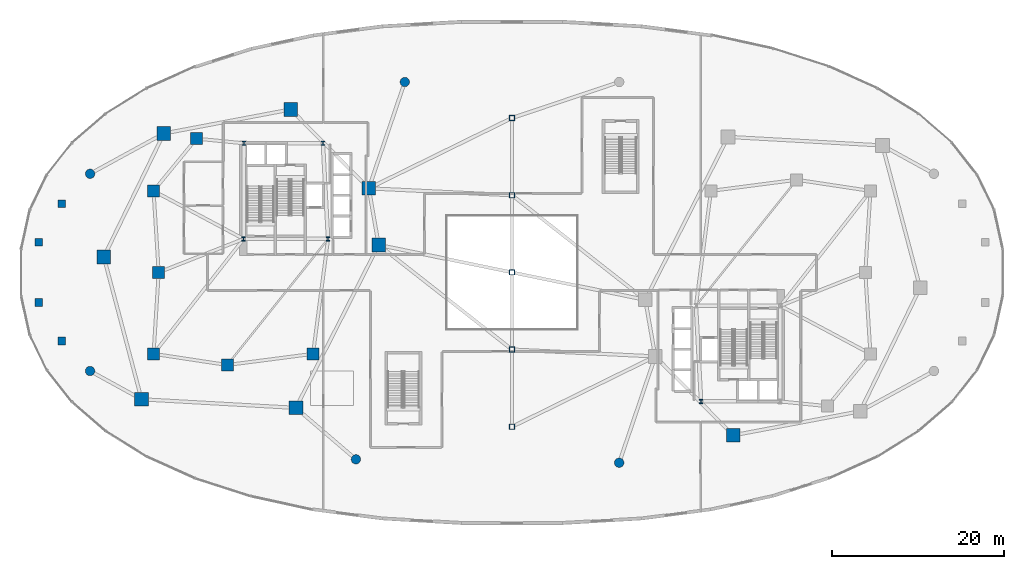
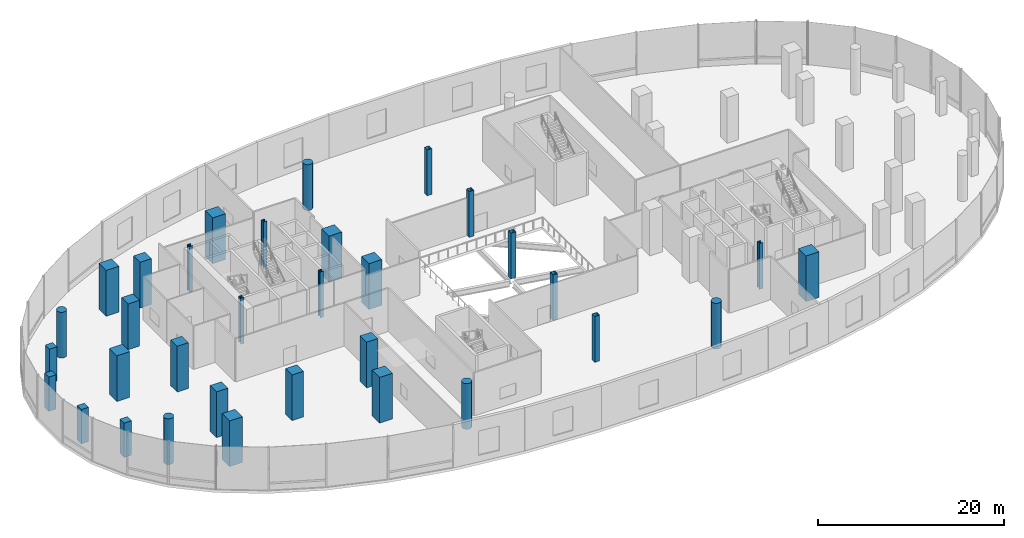
# One storey, part 1 of 20: 33 columns.
"""IFC4 building model written with IfcOpenShell, lengths in metres."""

from ifc_helpers import new_model, si_unit, direction, frame, origin, origin_2d, place, context, subcontext, project, spatial, rectangle, hollow_rectangle, circle, i_section, extrude, material, material_profile, profile_set, type_object, element, save


model = new_model("IFC4")

# Units and contexts
model_context = context("Model", 3, precision=1e-05, world=origin(), true_north=direction((0.0, 1.0)))
body_context = subcontext(model_context, "Body", "Model", "MODEL_VIEW")
ifc_project = project(units=[si_unit("LENGTHUNIT", "METRE"), si_unit("AREAUNIT", "SQUARE_METRE"), si_unit("VOLUMEUNIT", "CUBIC_METRE"), si_unit("PLANEANGLEUNIT", "RADIAN"), si_unit("MASSUNIT", "GRAM", prefix="KILO"), si_unit("THERMODYNAMICTEMPERATUREUNIT", "KELVIN"), si_unit("POWERUNIT", "WATT")], contexts=[model_context])

# Site, building, storey
site_placement = place(None, origin())
site = spatial("IfcSite", under=ifc_project, at=site_placement, CompositionType="ELEMENT")
building_placement = place(site_placement, origin())
building = spatial("IfcBuilding", under=site, at=building_placement, Name="Cundina Bronze Exchange", CompositionType="ELEMENT")
storey_placement = place(building_placement, frame((0.0, 0.0, 6.0)))
storey = spatial("IfcBuildingStorey", under=building, at=storey_placement, Name="L01", CompositionType="ELEMENT", Elevation=6.0)

# Columns
ifc_material_1 = material(Name="Concrete C60/75", Category="concrete")
ifc_material_profile_1 = material_profile(ifc_material_1, rectangle(XDim=1.39990234375, YDim=1.39990234375, at=origin_2d()), Name="RC1400X1400", Category="concrete")
ifc_profile_set_1 = profile_set([ifc_material_profile_1], Name="Concrete C60/75")
column_type_1 = type_object("IfcColumnType", Name="COL-MEGA-1400", PredefinedType="COLUMN", material=ifc_profile_set_1)
for number, where, z_axis, x_axis, name in (
    (1, (-41.199951171875, 0.0, 0.0), (0.0, 0.0, 1.0), (1.0, 0.0, 0.0), "L01 W Inner Ring Column 1"),
    (2, (-41.800048828125, 9.5, 0.0), (0.0, 0.0, 1.0), (1.0, 0.0, 0.0), "L01 W Inner Ring Column 2"),
    (3, (-36.800048828125, 15.60009765625, 0.0), (0.0, 0.0, 1.0), (1.0, 0.0, 0.0), "L01 W Inner Ring Column 3"),
    (4, (-41.800048828125, -9.5, 0.0), (0.0, 0.0, 1.0), (1.0, 0.0, 0.0), "L01 W Inner Ring Column 4"),
    (5, (-33.199951171875, -10.800048828125, 0.0), (0.0, 0.0, 1.0), (1.0, 0.0, 0.0), "L01 W Inner Ring Column 5"),
    (6, (-23.199951171875, -9.5, 0.0), (0.0, 0.0, 1.0), (1.0, 0.0, 0.0), "L01 W Inner Ring Column 6"),
):
    element("IfcColumn", number, at=place(storey_placement, frame(where, z_axis=z_axis, x_axis=x_axis)), inside=storey, type_object=column_type_1, Name=name, PredefinedType="COLUMN", context=body_context, shape_type="SweptSolid", body=[
        extrude(rectangle(XDim=1.39990234375, YDim=1.39990234375, at=origin_2d()), origin(), (0.0, 0.0, 1.0), 6.0),
    ])
ifc_material_profile_2 = material_profile(ifc_material_1, rectangle(XDim=1.60009765625, YDim=1.60009765625, at=origin_2d()), Name="RC1600X1600", Category="concrete")
ifc_profile_set_2 = profile_set([ifc_material_profile_2], Name="Concrete C60/75")
column_type_2 = type_object("IfcColumnType", Name="COL-MEGA-1600", PredefinedType="COLUMN", material=ifc_profile_set_2)
for number, where, z_axis, x_axis, name in (
    (7, (-15.550048828125, 3.199951171875, 0.0), (0.0, 0.0, 1.0), (1.0, 0.0, 0.0), "L01 W Podium Mega-Column 00"),
    (8, (-16.699951171875, 9.800048828125, 0.0), (0.0, 0.0, 1.0), (1.0, 0.0, 0.0), "L01 W Podium Mega-Column 02"),
    (9, (-25.800048828125, 19.0, 0.0), (0.0, 0.0, 1.0), (1.0, 0.0, 0.0), "L01 W Podium Mega-Column 04"),
    (10, (-40.60009765625, 16.199951171875, 0.0), (0.0, 0.0, 1.0), (1.0, 0.0, 0.0), "L01 W Podium Mega-Column 06"),
    (11, (-47.60009765625, 1.800048828125, 0.0), (0.0, 0.0, 1.0), (1.0, 0.0, 0.0), "L01 W Podium Mega-Column 08"),
    (12, (-43.199951171875, -14.800048828125, 0.0), (0.0, 0.0, 1.0), (1.0, 0.0, 0.0), "L01 W Podium Mega-Column 10"),
    (13, (-25.199951171875, -15.800048828125, 0.0), (0.0, 0.0, 1.0), (1.0, 0.0, 0.0), "L01 W Podium Mega-Column 12"),
    (14, (25.800048828125, -19.0, 0.0), (0.0, 0.0, 1.0), (1.0, 0.0, 0.0), "L01 E Podium Mega-Column 04"),
):
    element("IfcColumn", number, at=place(storey_placement, frame(where, z_axis=z_axis, x_axis=x_axis)), inside=storey, type_object=column_type_2, Name=name, PredefinedType="COLUMN", context=body_context, shape_type="SweptSolid", body=[
        extrude(rectangle(XDim=1.60009765625, YDim=1.60009765625, at=origin_2d()), origin(), (0.0, 0.0, 1.0), 6.0),
    ])
ifc_material_profile_3 = material_profile(ifc_material_1, circle(Radius=0.550048828125, at=origin_2d()), Name="RC1100D", Category="concrete")
ifc_profile_set_3 = profile_set([ifc_material_profile_3], Name="Concrete C60/75")
column_type_3 = type_object("IfcColumnType", Name="COL-PIL-1100D", PredefinedType="PILASTER", material=ifc_profile_set_3)
for number, where, z_axis, x_axis, name in (
    (15, (-49.199951171875, 11.5, 0.0), (0.0, 0.0, 1.0), (1.0, 0.0, 0.0), "L01 Podium Colonnade Pilaster 01"),
    (16, (-49.199951171875, -11.5, 0.0), (0.0, 0.0, 1.0), (1.0, 0.0, 0.0), "L01 Podium Colonnade Pilaster 02"),
    (17, (-12.5, 22.199951171875, 0.0), (0.0, 0.0, 1.0), (1.0, 0.0, 0.0), "L01 Podium Colonnade Pilaster 03"),
    (18, (12.5, -22.199951171875, 0.0), (0.0, 0.0, 1.0), (1.0, 0.0, 0.0), "L01 Podium Colonnade Pilaster 05"),
    (19, (-18.199951171875, -21.800048828125, 0.0), (0.0, 0.0, 1.0), (1.0, 0.0, 0.0), "L01 Podium Colonnade Pilaster 06"),
):
    element("IfcColumn", number, at=place(storey_placement, frame(where, z_axis=z_axis, x_axis=x_axis)), inside=storey, type_object=column_type_3, Name=name, PredefinedType="PILASTER", context=body_context, shape_type="SweptSolid", body=[
        extrude(circle(Radius=0.550048828125, at=origin_2d()), origin(), (0.0, 0.0, 1.0), 6.0),
    ])
ifc_material_2 = material(Name="Steel ASTM A501 Grade B", Category="steel")
ifc_material_profile_4 = material_profile(ifc_material_2, hollow_rectangle(XDim=0.60009765625, YDim=0.60009765625, WallThickness=0.031982421875, at=origin_2d()), Name="HSS600X600X32", Category="steel")
ifc_profile_set_4 = profile_set([ifc_material_profile_4], Name="Steel ASTM A501 Grade B")
column_type_4 = type_object("IfcColumnType", Name="COL-STL-HSS6", PredefinedType="COLUMN", material=ifc_profile_set_4)
for number, where, z_axis, x_axis, name in (
    (20, (0.0, -18.0, 0.0), (0.0, 0.0, 1.0), (1.0, 0.0, 0.0), "L01 Concourse Spine Column 01"),
    (21, (0.0, -9.0, 0.0), (0.0, 0.0, 1.0), (1.0, 0.0, 0.0), "L01 Concourse Spine Column 02"),
    (22, (0.0, 0.0, 0.0), (0.0, 0.0, 1.0), (1.0, 0.0, 0.0), "L01 Concourse Spine Column 03"),
    (23, (0.0, 9.0, 0.0), (0.0, 0.0, 1.0), (1.0, 0.0, 0.0), "L01 Concourse Spine Column 04"),
    (24, (0.0, 18.0, 0.0), (0.0, 0.0, 1.0), (1.0, 0.0, 0.0), "L01 Concourse Spine Column 05"),
):
    element("IfcColumn", number, at=place(storey_placement, frame(where, z_axis=z_axis, x_axis=x_axis)), inside=storey, type_object=column_type_4, Name=name, PredefinedType="COLUMN", context=body_context, shape_type="SweptSolid", body=[
        extrude(hollow_rectangle(XDim=0.60009765625, YDim=0.60009765625, WallThickness=0.031982421875, at=origin_2d()), origin(), (0.0, 0.0, 1.0), 6.0),
    ])
ifc_material_3 = material(Name="Steel ASTM A992 Grade 50", Category="steel")
ifc_material_profile_5 = material_profile(ifc_material_3, i_section(OverallWidth=0.431884765625, OverallDepth=0.498046875, WebThickness=0.0556640625, FlangeThickness=0.0888671875, FilletRadius=0.01806640625, at=origin_2d()), Name="W14X500", Category="steel")
ifc_profile_set_5 = profile_set([ifc_material_profile_5], Name="Steel ASTM A992 Grade 50")
column_type_5 = type_object("IfcColumnType", Name="COL-STL-W14A", PredefinedType="COLUMN", material=ifc_profile_set_5)
for number, where, z_axis, x_axis, name in (
    (25, (-31.300048828125, 3.89990234375, 0.0), (0.0, 0.0, 1.0), (1.0, 0.0, 0.0), "L01 Core Anchor Column W1"),
    (26, (-21.449951171875, 3.89990234375, 0.0), (0.0, 0.0, 1.0), (1.0, 0.0, 0.0), "L01 Core Anchor Column W2"),
    (27, (-22.050048828125, 15.050048828125, 0.0), (0.0, 0.0, 1.0), (1.0, 0.0, 0.0), "L01 Core Anchor Column W3"),
    (28, (-31.25, 15.050048828125, 0.0), (0.0, 0.0, 1.0), (1.0, 0.0, 0.0), "L01 Core Anchor Column W4"),
    (29, (22.050048828125, -15.050048828125, 0.0), (0.0, 0.0, 1.0), (1.0, 0.0, 0.0), "L01 Core Anchor Column E3"),
):
    element("IfcColumn", number, at=place(storey_placement, frame(where, z_axis=z_axis, x_axis=x_axis)), inside=storey, type_object=column_type_5, Name=name, PredefinedType="COLUMN", context=body_context, shape_type="SweptSolid", body=[
        extrude(i_section(OverallWidth=0.431884765625, OverallDepth=0.498046875, WebThickness=0.0556640625, FlangeThickness=0.0888671875, FilletRadius=0.01806640625, at=origin_2d()), origin(), (0.0, 0.0, 1.0), 6.0),
    ])
ifc_material_4 = material(Name="Concrete C50/60", Category="concrete")
ifc_material_profile_6 = material_profile(ifc_material_4, rectangle(XDim=0.89990234375, YDim=0.89990234375, at=origin_2d()), Name="RC900X900", Category="concrete")
ifc_profile_set_6 = profile_set([ifc_material_profile_6], Name="Concrete C50/60")
column_type_6 = type_object("IfcColumnType", Name="COL-Z4-900", PredefinedType="COLUMN", material=ifc_profile_set_6)
for number, where, z_axis, x_axis, name in (
    (30, (-52.5, -8.0, 0.0), (0.0, 0.0, 1.0), (1.0, 0.0, 0.0), "L01 Podium Crescent Wing Column W1"),
    (31, (-52.5, 8.0, 0.0), (0.0, 0.0, 1.0), (1.0, 0.0, 0.0), "L01 Podium Crescent Wing Column W2"),
    (32, (-55.199951171875, -3.5, 0.0), (0.0, 0.0, 1.0), (1.0, 0.0, 0.0), "L01 Podium Crescent Wing Column W3"),
    (33, (-55.199951171875, 3.5, 0.0), (0.0, 0.0, 1.0), (1.0, 0.0, 0.0), "L01 Podium Crescent Wing Column W4"),
):
    element("IfcColumn", number, at=place(storey_placement, frame(where, z_axis=z_axis, x_axis=x_axis)), inside=storey, type_object=column_type_6, Name=name, PredefinedType="COLUMN", context=body_context, shape_type="SweptSolid", body=[
        extrude(rectangle(XDim=0.89990234375, YDim=0.89990234375, at=origin_2d()), origin(), (0.0, 0.0, 1.0), 4.5),
    ])

save(model, "model.ifc")
